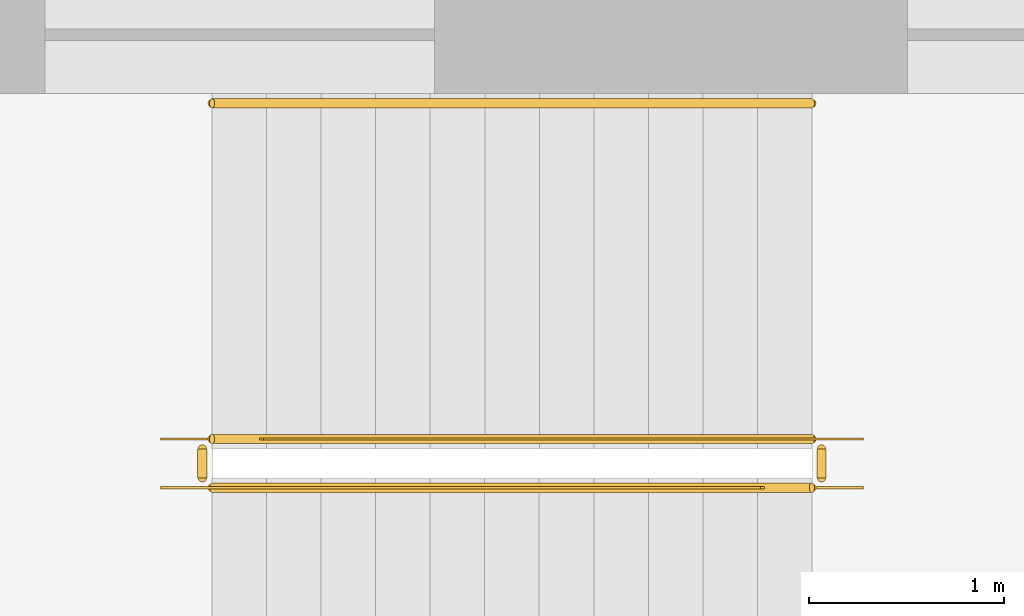
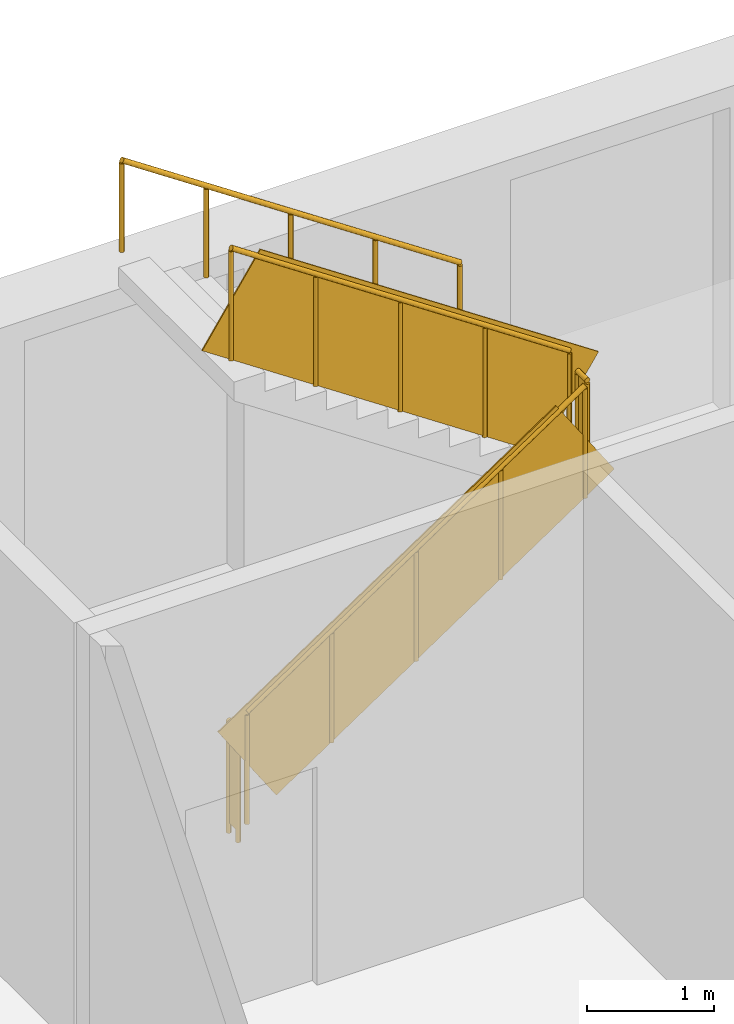
# One storey, part 26 of 27: 5 railings.
"""IFC4 building model written with IfcOpenShell, lengths in metres."""

import ifcopenshell
import ifcopenshell.guid

model = None  # the IFC model being written
_history = None  # IfcOwnerHistory: only IFC2X3 demands one
_inside = {}  # id of a spatial element -> (the spatial element, [elements in it])
_under = {}  # id of a project, library or spatial element -> (it, [spatial elements below it])
_declared = {}  # id of a project -> (the project, [libraries it declares])
_typed = {}  # id of a type object -> (the type object, [elements of that type])
_made_of = {}  # id of a material, layer set ... -> (it, [elements and type objects made of it])


def new_model(schema):
    """Start an empty IFC model of exactly this schema.

    Asked for "IFC4X3", IfcOpenShell would pick the latest addendum, in which some entities
    have other attributes; the version numbers below select the first issue.
    IFC2X3 requires an IfcOwnerHistory on every rooted entity: one is made here for all.
    """
    global model, _history
    if schema == "IFC4X3":
        model = ifcopenshell.file(schema_version=(4, 3, 0, 0))
    else:
        model = ifcopenshell.file(schema=schema)
    _inside.clear()
    _under.clear()
    _declared.clear()
    _typed.clear()
    _made_of.clear()
    _history = None
    if model.schema == "IFC2X3":
        org = make("IfcOrganization", Name="unknown")
        user = make(
            "IfcPersonAndOrganization",
            ThePerson=make("IfcPerson", FamilyName="unknown"),
            TheOrganization=org,
        )
        app = make(
            "IfcApplication",
            ApplicationDeveloper=org,
            Version="unknown",
            ApplicationFullName="unknown",
            ApplicationIdentifier="unknown",
        )
        _history = make(
            "IfcOwnerHistory",
            OwningUser=user,
            OwningApplication=app,
            ChangeAction="ADDED",
            CreationDate=0,
        )
    return model


def make(cls, **values):
    """One entity of the class cls with the attributes given. An attribute that is None is left unset."""
    return model.create_entity(
        cls, **{name: value for name, value in values.items() if value is not None}
    )


def rooted(cls, **values):
    """An entity with a GlobalId (a new one), such as an element, a storey or a relation."""
    return make(cls, GlobalId=ifcopenshell.guid.new(), OwnerHistory=_history, **values)


def si_unit(unit_type, name, prefix=None):
    """IfcSIUnit, for example si_unit("LENGTHUNIT", "METRE", prefix="MILLI")."""
    return make("IfcSIUnit", UnitType=unit_type, Prefix=prefix, Name=name)


def assignment(units):
    """IfcUnitAssignment: the units of a project."""
    return None if units is None else make("IfcUnitAssignment", Units=units)


def point(xyz):
    """IfcCartesianPoint."""
    return None if xyz is None else make("IfcCartesianPoint", Coordinates=xyz)


def direction(xyz):
    """IfcDirection."""
    return None if xyz is None else make("IfcDirection", DirectionRatios=xyz)


def frame(location, z_axis=None, x_axis=None):
    """IfcAxis2Placement3D, a coordinate frame: its origin and axes. An axis left out is left unset."""
    return make(
        "IfcAxis2Placement3D",
        Location=point(location),
        Axis=direction(z_axis),
        RefDirection=direction(x_axis),
    )


def frame_2d(location, x_axis=None):
    """IfcAxis2Placement2D, a coordinate frame in the plane: its origin and x axis."""
    return make(
        "IfcAxis2Placement2D", Location=point(location), RefDirection=direction(x_axis)
    )


def origin():
    """The frame at (0, 0, 0) with its axes left unset."""
    return frame((0.0, 0.0, 0.0))


def origin_2d():
    """The frame at (0, 0) in the plane with its x axis left unset."""
    return frame_2d((0.0, 0.0))


def place(relative_to, where):
    """IfcLocalPlacement: puts the frame where relative to a parent placement (None: the world)."""
    return make(
        "IfcLocalPlacement", PlacementRelTo=relative_to, RelativePlacement=where
    )


def context(
    kind, dimensions, precision=None, world=None, true_north=None, identifier=None
):
    """IfcGeometricRepresentationContext, for example the 3D "Model" context."""
    return make(
        "IfcGeometricRepresentationContext",
        ContextIdentifier=identifier,
        ContextType=kind,
        CoordinateSpaceDimension=dimensions,
        Precision=precision,
        WorldCoordinateSystem=world,
        TrueNorth=true_north,
    )


def subcontext(parent, identifier, kind, view, scale=None):
    """IfcGeometricRepresentationSubContext, for example "Body" below "Model"."""
    return make(
        "IfcGeometricRepresentationSubContext",
        ContextIdentifier=identifier,
        ContextType=kind,
        ParentContext=parent,
        TargetScale=scale,
        TargetView=view,
    )


def project(units=None, contexts=None):
    """IfcProject with its units and contexts."""
    return rooted(
        "IfcProject",
        Name="project",
        RepresentationContexts=contexts,
        UnitsInContext=assignment(units),
    )


def spatial(cls, under=None, at=None, **own):
    """A site, building, storey or space (cls), placed at a placement, below another one or the project."""
    s = rooted(cls, ObjectPlacement=at, **own)
    if under is not None:
        _under.setdefault(under.id(), (under, []))[1].append(s)
    return s


def profile(cls, at=None, kind="AREA", **sizes):
    """A parametric profile (cls). Its sizes go by their IFC names, for example OverallWidth=200.0."""
    return make(cls, ProfileType=kind, Position=at, **sizes)


def rectangle(**sizes):
    """IfcRectangleProfileDef."""
    return profile("IfcRectangleProfileDef", **sizes)


def circle(**sizes):
    """IfcCircleProfileDef."""
    return profile("IfcCircleProfileDef", **sizes)


def extrude(swept, where, along, depth):
    """IfcExtrudedAreaSolid: the profile swept, set in the frame where, extruded along a direction by depth."""
    return make(
        "IfcExtrudedAreaSolid",
        SweptArea=swept,
        Position=where,
        ExtrudedDirection=direction(along),
        Depth=depth,
    )


def shape(context_of_items, identifier, shape_type, items):
    """IfcShapeRepresentation: the items that make up one representation, for example the "Body"."""
    return make(
        "IfcShapeRepresentation",
        ContextOfItems=context_of_items,
        RepresentationIdentifier=identifier,
        RepresentationType=shape_type,
        Items=items,
    )


def material(Name=None, Category=None):
    """IfcMaterial."""
    return make("IfcMaterial", Name=Name, Category=Category)


def made_of(thing, what):
    """Note that an element or type object is made of a material, layer set ...; save() writes the relation."""
    if what is not None:
        _made_of.setdefault(what.id(), (what, []))[1].append(thing)
    return thing


def type_object(cls, material=None, **own):
    """A type object (cls), such as IfcWallType, which elements share."""
    return made_of(rooted(cls, **own), material)


def element(
    cls,
    number,
    at=None,
    inside=None,
    cuts=None,
    type_object=None,
    material=None,
    context=None,
    identifier="Body",
    shape_type=None,
    held_by="IfcProductDefinitionShape",
    body=None,
    shapes=None,
    **own,
):
    """One element of the class cls, such as IfcWall. Its Tag is "e" and its number.

    at: its placement. inside: the storey or other place that contains it. cuts: it is an
    opening in that element (IfcRelVoidsElement). A single representation is given by context,
    identifier, shape_type and body (its items); several are given by shapes. held_by: the class
    of the entity that holds the representations. save() writes the other relations.
    """
    e = rooted(cls, Tag="e%d" % number, ObjectPlacement=at, **own)
    if body is not None:
        shapes = [shape(context, identifier, shape_type, body)]
    if shapes is not None:
        e.Representation = make(held_by, Representations=shapes)
    if inside is not None:
        _inside.setdefault(inside.id(), (inside, []))[1].append(e)
    if cuts is not None:
        rooted(
            "IfcRelVoidsElement", RelatingBuildingElement=cuts, RelatedOpeningElement=e
        )
    if type_object is not None:
        _typed.setdefault(type_object.id(), (type_object, []))[1].append(e)
    return made_of(e, material)


def aggregate(whole, parts):
    """IfcRelAggregates: a whole, such as a stair, and the parts it consists of."""
    return rooted("IfcRelAggregates", RelatingObject=whole, RelatedObjects=parts)


def save(model, path):
    """Write the relations noted so far, then the file.

    IfcRelAggregates (storeys below a building ...), IfcRelContainedInSpatialStructure (elements
    in a storey), IfcRelDefinesByType, IfcRelAssociatesMaterial and IfcRelDeclares: one each for
    every whole, place, type object, material and project.
    """
    for whole, parts in _under.values():
        aggregate(whole, parts)
    for where, things in _inside.values():
        rooted(
            "IfcRelContainedInSpatialStructure",
            RelatedElements=things,
            RelatingStructure=where,
        )
    for kind, things in _typed.values():
        rooted("IfcRelDefinesByType", RelatedObjects=things, RelatingType=kind)
    for what, things in _made_of.values():
        rooted("IfcRelAssociatesMaterial", RelatedObjects=things, RelatingMaterial=what)
    for by, libraries in _declared.values():
        rooted("IfcRelDeclares", RelatingContext=by, RelatedDefinitions=libraries)
    model.write(path)


model = new_model("IFC4")

# Units and contexts
model_context = context("Model", 3, precision=1e-05, world=origin(), true_north=direction((0.0, 1.0)))
body_context = subcontext(model_context, "Body", "Model", "MODEL_VIEW")
ifc_project = project(units=[si_unit("LENGTHUNIT", "METRE"), si_unit("AREAUNIT", "SQUARE_METRE"), si_unit("VOLUMEUNIT", "CUBIC_METRE"), si_unit("PLANEANGLEUNIT", "RADIAN"), si_unit("MASSUNIT", "GRAM", prefix="KILO")], contexts=[model_context])

# Site, building, storey
site_placement = place(None, origin())
site = spatial("IfcSite", under=ifc_project, at=site_placement, CompositionType="ELEMENT")
building_placement = place(site_placement, origin())
building = spatial("IfcBuilding", under=site, at=building_placement, Name="Dilmun Exchange Tower", CompositionType="ELEMENT")
storey_placement = place(building_placement, frame((0.0, 0.0, 4.5)))
storey = spatial("IfcBuildingStorey", under=building, at=storey_placement, Name="L01", CompositionType="ELEMENT", Elevation=4.5)

# Railings
ifc_material_1 = material(Name="Guard 1100")
railing_type_1 = type_object("IfcRailingType", Name="Guard 1100", PredefinedType="GUARDRAIL", material=ifc_material_1)
railing_1_placement = place(storey_placement, frame((-24.5, 33.3740234375, 0.1875)))
element("IfcRailing", 1, at=railing_1_placement, inside=storey, type_object=railing_type_1, Name="L01 PS1 stair guard 1", PredefinedType="GUARDRAIL", context=body_context, shape_type="SweptSolid", body=[
    extrude(circle(Radius=0.02392578125, at=origin_2d()), frame((0.0, 0.0, 1.076171875), z_axis=(0.830913701846, 0.0, 0.55640131208), x_axis=(0.0, 1.0, 0.0)), (0.0, 0.0, 1.0), 3.706787109375),
    extrude(rectangle(XDim=0.011962890625, YDim=0.951904296875, at=origin_2d()), frame((0.0, 0.0, 0.576171875), z_axis=(0.830913701846, 0.0, 0.55640131208), x_axis=(0.0, 1.0, 0.0)), (0.0, 0.0, 1.0), 3.706787109375),
    extrude(circle(Radius=0.02099609375, at=origin_2d()), origin(), (0.0, 0.0, 1.0), 1.052001953125),
    extrude(circle(Radius=0.02099609375, at=origin_2d()), frame((0.77001953125, 0.0, 0.515625)), (0.0, 0.0, 1.0), 1.052001953125),
    extrude(circle(Radius=0.02099609375, at=origin_2d()), frame((1.5400390625, 0.0, 1.03125)), (0.0, 0.0, 1.0), 1.052001953125),
    extrude(circle(Radius=0.02099609375, at=origin_2d()), frame((2.31005859375, 0.0, 1.546875)), (0.0, 0.0, 1.0), 1.052001953125),
    extrude(circle(Radius=0.02099609375, at=origin_2d()), frame((3.080078125, 0.0, 2.0625)), (0.0, 0.0, 1.0), 1.052001953125),
])
railing_2_placement = place(storey_placement, frame((-21.3701171875, 33.424072265625, 2.25)))
element("IfcRailing", 2, at=railing_2_placement, inside=storey, type_object=railing_type_1, Name="L01 PS1 stair guard 2", PredefinedType="GUARDRAIL", context=body_context, shape_type="SweptSolid", body=[
    extrude(circle(Radius=0.02392578125, at=origin_2d()), frame((0.0, 0.0, 1.076171875), z_axis=(0.0, 1.0, 0.0), x_axis=(-1.0, 0.0, 0.0)), (0.0, 0.0, 1.0), 0.14990234375),
    extrude(rectangle(XDim=0.011962890625, YDim=0.951904296875, at=origin_2d()), frame((0.0, 0.0, 0.576171875), z_axis=(0.0, 1.0, 0.0), x_axis=(-1.0, 0.0, 0.0)), (0.0, 0.0, 1.0), 0.14990234375),
    extrude(circle(Radius=0.02099609375, at=origin_2d()), origin(), (0.0, 0.0, 1.0), 1.052001953125),
    extrude(circle(Radius=0.02099609375, at=origin_2d()), frame((0.0, 0.14990234375, 0.0)), (0.0, 0.0, 1.0), 1.052001953125),
])
railing_3_placement = place(storey_placement, frame((-21.419921875, 33.6240234375, 2.4375)))
element("IfcRailing", 3, at=railing_3_placement, inside=storey, type_object=railing_type_1, Name="L01 PS1 stair guard 3", PredefinedType="GUARDRAIL", context=body_context, shape_type="SweptSolid", body=[
    extrude(circle(Radius=0.02392578125, at=origin_2d()), frame((0.0, 0.0, 1.076171875), z_axis=(-0.830913701846, 0.0, 0.55640131208), x_axis=(0.0, -1.0, 0.0)), (0.0, 0.0, 1.0), 3.706787109375),
    extrude(rectangle(XDim=0.011962890625, YDim=0.951904296875, at=origin_2d()), frame((0.0, 0.0, 0.576171875), z_axis=(-0.830913701846, 0.0, 0.55640131208), x_axis=(0.0, -1.0, 0.0)), (0.0, 0.0, 1.0), 3.706787109375),
    extrude(circle(Radius=0.02099609375, at=origin_2d()), origin(), (0.0, 0.0, 1.0), 1.052001953125),
    extrude(circle(Radius=0.02099609375, at=origin_2d()), frame((-0.77001953125, 0.0, 0.515625)), (0.0, 0.0, 1.0), 1.052001953125),
    extrude(circle(Radius=0.02099609375, at=origin_2d()), frame((-1.5400390625, 0.0, 1.03125)), (0.0, 0.0, 1.0), 1.052001953125),
    extrude(circle(Radius=0.02099609375, at=origin_2d()), frame((-2.31005859375, 0.0, 1.546875)), (0.0, 0.0, 1.0), 1.052001953125),
    extrude(circle(Radius=0.02099609375, at=origin_2d()), frame((-3.080078125, 0.0, 2.0625)), (0.0, 0.0, 1.0), 1.052001953125),
])
railing_4_placement = place(storey_placement, frame((-24.550048828125, 33.424072265625, 0.0)))
element("IfcRailing", 4, at=railing_4_placement, inside=storey, type_object=railing_type_1, Name="L01 PS1 stair guard 4", PredefinedType="GUARDRAIL", context=body_context, shape_type="SweptSolid", body=[
    extrude(circle(Radius=0.02392578125, at=origin_2d()), frame((0.0, 0.0, 1.076171875), z_axis=(0.0, 1.0, 0.0), x_axis=(-1.0, 0.0, 0.0)), (0.0, 0.0, 1.0), 0.14990234375),
    extrude(rectangle(XDim=0.011962890625, YDim=0.951904296875, at=origin_2d()), frame((0.0, 0.0, 0.576171875), z_axis=(0.0, 1.0, 0.0), x_axis=(-1.0, 0.0, 0.0)), (0.0, 0.0, 1.0), 0.14990234375),
    extrude(circle(Radius=0.02099609375, at=origin_2d()), origin(), (0.0, 0.0, 1.0), 1.052001953125),
    extrude(circle(Radius=0.02099609375, at=origin_2d()), frame((0.0, 0.14990234375, 0.0)), (0.0, 0.0, 1.0), 1.052001953125),
])
ifc_material_2 = material(Name="Handrail 900")
railing_type_2 = type_object("IfcRailingType", Name="Handrail 900", PredefinedType="HANDRAIL", material=ifc_material_2)
railing_5_placement = place(storey_placement, frame((-21.419921875, 35.347900390625, 2.4375)))
element("IfcRailing", 5, at=railing_5_placement, inside=storey, type_object=railing_type_2, Name="L01 PS1 stair handrail 2", PredefinedType="HANDRAIL", context=body_context, shape_type="SweptSolid", body=[
    extrude(circle(Radius=0.02392578125, at=origin_2d()), frame((0.0, 0.0, 0.8759765625), z_axis=(-0.830913701846, 0.0, 0.55640131208), x_axis=(0.0, -1.0, 0.0)), (0.0, 0.0, 1.0), 3.706787109375),
    extrude(circle(Radius=0.02099609375, at=origin_2d()), origin(), (0.0, 0.0, 1.0), 0.851806640625),
    extrude(circle(Radius=0.02099609375, at=origin_2d()), frame((-0.77001953125, 0.0, 0.515625)), (0.0, 0.0, 1.0), 0.851806640625),
    extrude(circle(Radius=0.02099609375, at=origin_2d()), frame((-1.5400390625, 0.0, 1.03125)), (0.0, 0.0, 1.0), 0.851806640625),
    extrude(circle(Radius=0.02099609375, at=origin_2d()), frame((-2.31005859375, 0.0, 1.546875)), (0.0, 0.0, 1.0), 0.851806640625),
    extrude(circle(Radius=0.02099609375, at=origin_2d()), frame((-3.080078125, 0.0, 2.0625)), (0.0, 0.0, 1.0), 0.851806640625),
])

save(model, "model.ifc")
